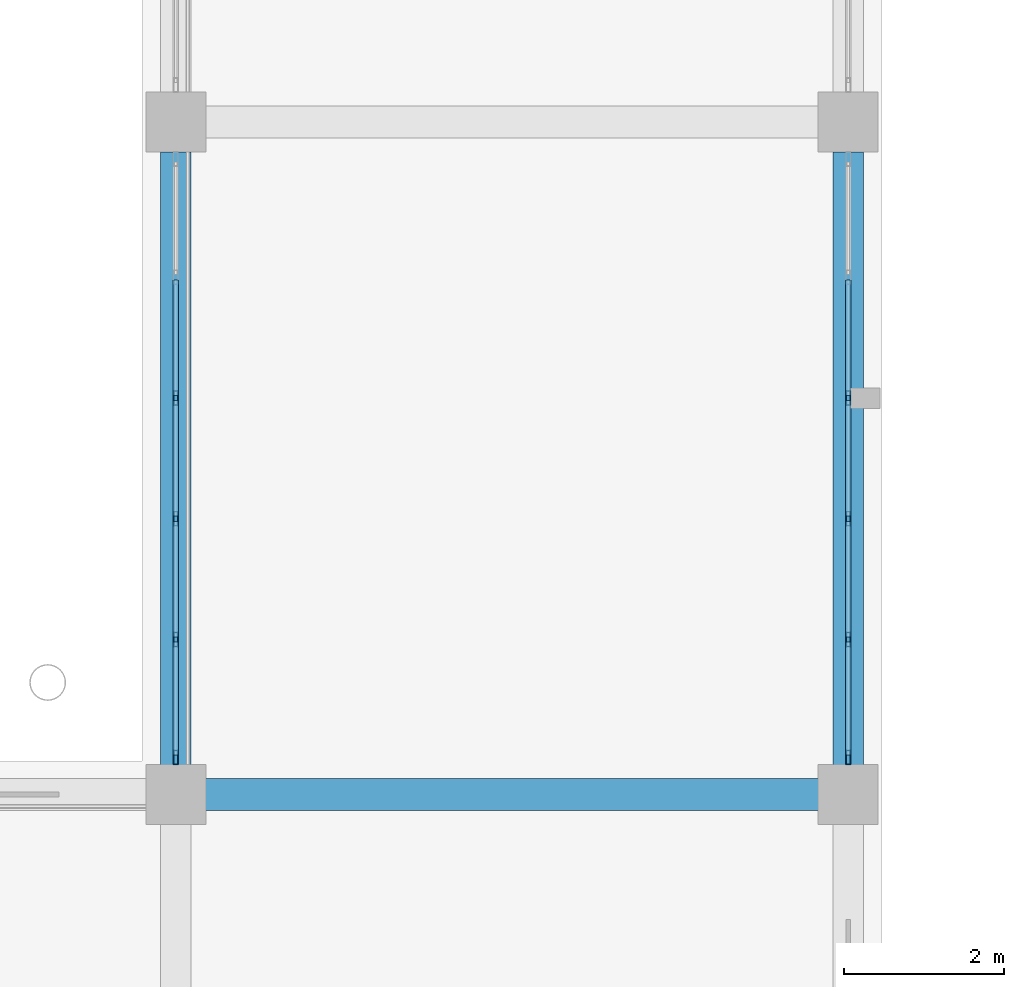
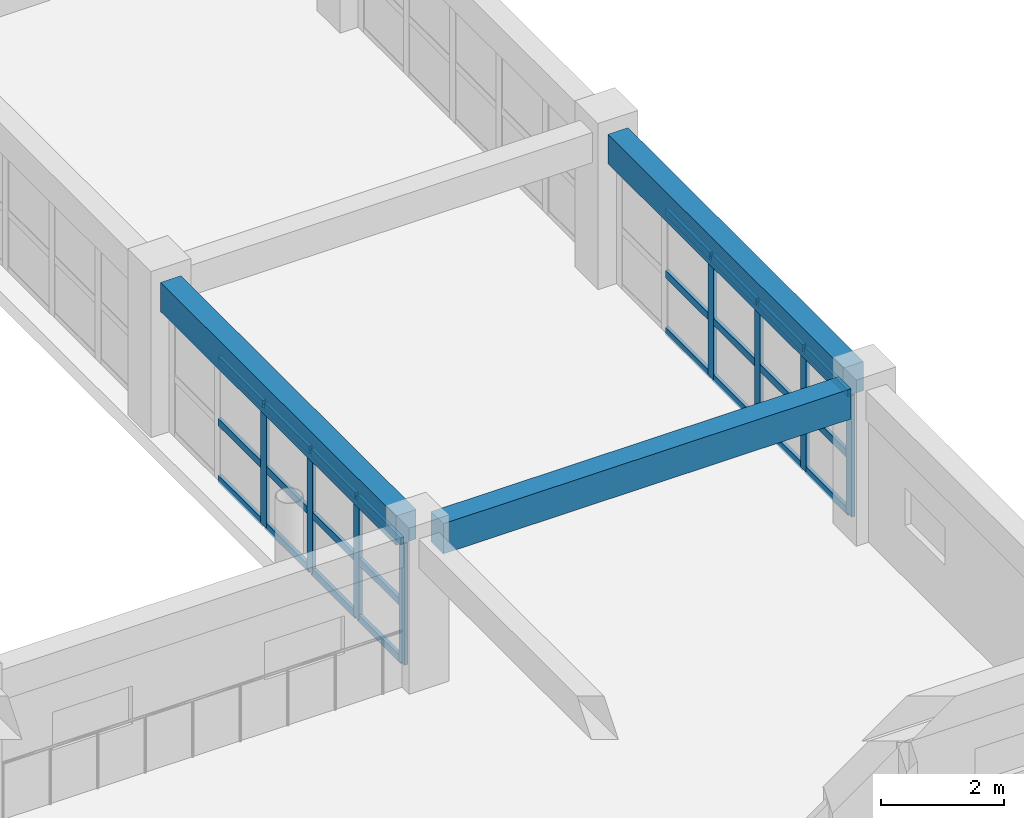
# One storey, part 129 of 200: 32 members, 3 beams, 2 elements without a shape of their own.
"""IFC4 building model written with IfcOpenShell, lengths in metres."""

import ifcopenshell
import ifcopenshell.guid

model = None  # the IFC model being written
_history = None  # IfcOwnerHistory: only IFC2X3 demands one
_inside = {}  # id of a spatial element -> (the spatial element, [elements in it])
_under = {}  # id of a project, library or spatial element -> (it, [spatial elements below it])
_declared = {}  # id of a project -> (the project, [libraries it declares])
_typed = {}  # id of a type object -> (the type object, [elements of that type])
_made_of = {}  # id of a material, layer set ... -> (it, [elements and type objects made of it])


def new_model(schema):
    """Start an empty IFC model of exactly this schema.

    Asked for "IFC4X3", IfcOpenShell would pick the latest addendum, in which some entities
    have other attributes; the version numbers below select the first issue.
    IFC2X3 requires an IfcOwnerHistory on every rooted entity: one is made here for all.
    """
    global model, _history
    if schema == "IFC4X3":
        model = ifcopenshell.file(schema_version=(4, 3, 0, 0))
    else:
        model = ifcopenshell.file(schema=schema)
    _inside.clear()
    _under.clear()
    _declared.clear()
    _typed.clear()
    _made_of.clear()
    _history = None
    if model.schema == "IFC2X3":
        org = make("IfcOrganization", Name="unknown")
        user = make(
            "IfcPersonAndOrganization",
            ThePerson=make("IfcPerson", FamilyName="unknown"),
            TheOrganization=org,
        )
        app = make(
            "IfcApplication",
            ApplicationDeveloper=org,
            Version="unknown",
            ApplicationFullName="unknown",
            ApplicationIdentifier="unknown",
        )
        _history = make(
            "IfcOwnerHistory",
            OwningUser=user,
            OwningApplication=app,
            ChangeAction="ADDED",
            CreationDate=0,
        )
    return model


def make(cls, **values):
    """One entity of the class cls with the attributes given. An attribute that is None is left unset."""
    return model.create_entity(
        cls, **{name: value for name, value in values.items() if value is not None}
    )


def rooted(cls, **values):
    """An entity with a GlobalId (a new one), such as an element, a storey or a relation."""
    return make(cls, GlobalId=ifcopenshell.guid.new(), OwnerHistory=_history, **values)


def si_unit(unit_type, name, prefix=None):
    """IfcSIUnit, for example si_unit("LENGTHUNIT", "METRE", prefix="MILLI")."""
    return make("IfcSIUnit", UnitType=unit_type, Prefix=prefix, Name=name)


def assignment(units):
    """IfcUnitAssignment: the units of a project."""
    return None if units is None else make("IfcUnitAssignment", Units=units)


def point(xyz):
    """IfcCartesianPoint."""
    return None if xyz is None else make("IfcCartesianPoint", Coordinates=xyz)


def direction(xyz):
    """IfcDirection."""
    return None if xyz is None else make("IfcDirection", DirectionRatios=xyz)


def frame(location, z_axis=None, x_axis=None):
    """IfcAxis2Placement3D, a coordinate frame: its origin and axes. An axis left out is left unset."""
    return make(
        "IfcAxis2Placement3D",
        Location=point(location),
        Axis=direction(z_axis),
        RefDirection=direction(x_axis),
    )


def frame_2d(location, x_axis=None):
    """IfcAxis2Placement2D, a coordinate frame in the plane: its origin and x axis."""
    return make(
        "IfcAxis2Placement2D", Location=point(location), RefDirection=direction(x_axis)
    )


def origin():
    """The frame at (0, 0, 0) with its axes left unset."""
    return frame((0.0, 0.0, 0.0))


def origin_2d():
    """The frame at (0, 0) in the plane with its x axis left unset."""
    return frame_2d((0.0, 0.0))


def place(relative_to, where):
    """IfcLocalPlacement: puts the frame where relative to a parent placement (None: the world)."""
    return make(
        "IfcLocalPlacement", PlacementRelTo=relative_to, RelativePlacement=where
    )


def context(
    kind, dimensions, precision=None, world=None, true_north=None, identifier=None
):
    """IfcGeometricRepresentationContext, for example the 3D "Model" context."""
    return make(
        "IfcGeometricRepresentationContext",
        ContextIdentifier=identifier,
        ContextType=kind,
        CoordinateSpaceDimension=dimensions,
        Precision=precision,
        WorldCoordinateSystem=world,
        TrueNorth=true_north,
    )


def subcontext(parent, identifier, kind, view, scale=None):
    """IfcGeometricRepresentationSubContext, for example "Body" below "Model"."""
    return make(
        "IfcGeometricRepresentationSubContext",
        ContextIdentifier=identifier,
        ContextType=kind,
        ParentContext=parent,
        TargetScale=scale,
        TargetView=view,
    )


def project(units=None, contexts=None):
    """IfcProject with its units and contexts."""
    return rooted(
        "IfcProject",
        Name="project",
        RepresentationContexts=contexts,
        UnitsInContext=assignment(units),
    )


def spatial(cls, under=None, at=None, **own):
    """A site, building, storey or space (cls), placed at a placement, below another one or the project."""
    s = rooted(cls, ObjectPlacement=at, **own)
    if under is not None:
        _under.setdefault(under.id(), (under, []))[1].append(s)
    return s


def profile(cls, at=None, kind="AREA", **sizes):
    """A parametric profile (cls). Its sizes go by their IFC names, for example OverallWidth=200.0."""
    return make(cls, ProfileType=kind, Position=at, **sizes)


def rectangle(**sizes):
    """IfcRectangleProfileDef."""
    return profile("IfcRectangleProfileDef", **sizes)


def hollow_rectangle(**sizes):
    """IfcRectangleHollowProfileDef."""
    return profile("IfcRectangleHollowProfileDef", **sizes)


def extrude(swept, where, along, depth):
    """IfcExtrudedAreaSolid: the profile swept, set in the frame where, extruded along a direction by depth."""
    return make(
        "IfcExtrudedAreaSolid",
        SweptArea=swept,
        Position=where,
        ExtrudedDirection=direction(along),
        Depth=depth,
    )


def shape(context_of_items, identifier, shape_type, items):
    """IfcShapeRepresentation: the items that make up one representation, for example the "Body"."""
    return make(
        "IfcShapeRepresentation",
        ContextOfItems=context_of_items,
        RepresentationIdentifier=identifier,
        RepresentationType=shape_type,
        Items=items,
    )


def material(Name=None, Category=None):
    """IfcMaterial."""
    return make("IfcMaterial", Name=Name, Category=Category)


def layer(
    of_material, thickness, ventilated=None, Name=None, Category=None, Priority=None
):
    """IfcMaterialLayer: one layer of a wall or slab, of a material (None: an air gap)."""
    return make(
        "IfcMaterialLayer",
        Material=of_material,
        LayerThickness=thickness,
        IsVentilated=ventilated,
        Name=Name,
        Category=Category,
        Priority=Priority,
    )


def layer_set(layers, Name=None):
    """IfcMaterialLayerSet."""
    return make("IfcMaterialLayerSet", MaterialLayers=layers, LayerSetName=Name)


def material_profile(
    of_material, cross_section, Name=None, Category=None, Priority=None
):
    """IfcMaterialProfile: a cross section and its material."""
    return make(
        "IfcMaterialProfile",
        Name=Name,
        Material=of_material,
        Profile=cross_section,
        Priority=Priority,
        Category=Category,
    )


def profile_set(profiles, Name=None, composite=None):
    """IfcMaterialProfileSet."""
    return make(
        "IfcMaterialProfileSet",
        Name=Name,
        MaterialProfiles=profiles,
        CompositeProfile=composite,
    )


def made_of(thing, what):
    """Note that an element or type object is made of a material, layer set ...; save() writes the relation."""
    if what is not None:
        _made_of.setdefault(what.id(), (what, []))[1].append(thing)
    return thing


def type_object(cls, material=None, **own):
    """A type object (cls), such as IfcWallType, which elements share."""
    return made_of(rooted(cls, **own), material)


def element(
    cls,
    number,
    at=None,
    inside=None,
    cuts=None,
    type_object=None,
    material=None,
    context=None,
    identifier="Body",
    shape_type=None,
    held_by="IfcProductDefinitionShape",
    body=None,
    shapes=None,
    **own,
):
    """One element of the class cls, such as IfcWall. Its Tag is "e" and its number.

    at: its placement. inside: the storey or other place that contains it. cuts: it is an
    opening in that element (IfcRelVoidsElement). A single representation is given by context,
    identifier, shape_type and body (its items); several are given by shapes. held_by: the class
    of the entity that holds the representations. save() writes the other relations.
    """
    e = rooted(cls, Tag="e%d" % number, ObjectPlacement=at, **own)
    if body is not None:
        shapes = [shape(context, identifier, shape_type, body)]
    if shapes is not None:
        e.Representation = make(held_by, Representations=shapes)
    if inside is not None:
        _inside.setdefault(inside.id(), (inside, []))[1].append(e)
    if cuts is not None:
        rooted(
            "IfcRelVoidsElement", RelatingBuildingElement=cuts, RelatedOpeningElement=e
        )
    if type_object is not None:
        _typed.setdefault(type_object.id(), (type_object, []))[1].append(e)
    return made_of(e, material)


def aggregate(whole, parts):
    """IfcRelAggregates: a whole, such as a stair, and the parts it consists of."""
    return rooted("IfcRelAggregates", RelatingObject=whole, RelatedObjects=parts)


def save(model, path):
    """Write the relations noted so far, then the file.

    IfcRelAggregates (storeys below a building ...), IfcRelContainedInSpatialStructure (elements
    in a storey), IfcRelDefinesByType, IfcRelAssociatesMaterial and IfcRelDeclares: one each for
    every whole, place, type object, material and project.
    """
    for whole, parts in _under.values():
        aggregate(whole, parts)
    for where, things in _inside.values():
        rooted(
            "IfcRelContainedInSpatialStructure",
            RelatedElements=things,
            RelatingStructure=where,
        )
    for kind, things in _typed.values():
        rooted("IfcRelDefinesByType", RelatedObjects=things, RelatingType=kind)
    for what, things in _made_of.values():
        rooted("IfcRelAssociatesMaterial", RelatedObjects=things, RelatingMaterial=what)
    for by, libraries in _declared.values():
        rooted("IfcRelDeclares", RelatingContext=by, RelatedDefinitions=libraries)
    model.write(path)


model = new_model("IFC4")

# Units and contexts
model_context = context("Model", 3, precision=1e-05, world=origin(), true_north=direction((0.0, 1.0)))
body_context = subcontext(model_context, "Body", "Model", "MODEL_VIEW")
ifc_project = project(units=[si_unit("LENGTHUNIT", "METRE"), si_unit("AREAUNIT", "SQUARE_METRE"), si_unit("VOLUMEUNIT", "CUBIC_METRE"), si_unit("PLANEANGLEUNIT", "RADIAN"), si_unit("MASSUNIT", "GRAM", prefix="KILO")], contexts=[model_context])

# Site, building, storey
site_placement = place(None, origin())
site = spatial("IfcSite", under=ifc_project, at=site_placement, CompositionType="ELEMENT")
building_placement = place(site_placement, origin())
building = spatial("IfcBuilding", under=site, at=building_placement, Name="Trelvath General Hospital", CompositionType="ELEMENT")
storey_placement = place(building_placement, frame((0.0, 0.0, 4.800048828125)))
storey = spatial("IfcBuildingStorey", under=building, at=storey_placement, Name="L01", CompositionType="ELEMENT", Elevation=4.800048828125)

# Beams
ifc_material_1 = material(Name="Concrete C35/45", Category="concrete")
ifc_material_profile_1 = material_profile(ifc_material_1, rectangle(XDim=0.3798828125, YDim=0.580078125, at=origin_2d()), Name="RCB380x580")
ifc_profile_set_1 = profile_set([ifc_material_profile_1], Name="Concrete C35/45")
beam_type_1 = type_object("IfcBeamType", Name="Beam RC380x580", PredefinedType="BEAM", material=ifc_profile_set_1)
for number, where, z_axis, x_axis, name in (
    (1, (176.39990234375, 25.570068359375, 2.72998046875), (0.0, 1.0, 0.0), (-1.0, 0.0, 0.0), "Grid Beam BY-121D"),
    (2, (184.800048828125, 25.570068359375, 2.72998046875), (0.0, 1.0, 0.0), (-1.0, 0.0, 0.0), "Grid Beam BY-122D"),
):
    element("IfcBeam", number, at=place(storey_placement, frame(where, z_axis=z_axis, x_axis=x_axis)), inside=storey, type_object=beam_type_1, Name=name, PredefinedType="BEAM", context=body_context, shape_type="SweptSolid", body=[
        extrude(rectangle(XDim=0.3798828125, YDim=0.580078125, at=origin_2d()), origin(), (0.0, 0.0, 1.0), 7.659912109375),
    ])
ifc_material_2 = material(Name="Concrete C35/45", Category="concrete")
ifc_material_profile_2 = material_profile(ifc_material_2, rectangle(XDim=0.39990234375, YDim=0.60009765625, at=origin_2d()), Name="RCB400x600")
ifc_profile_set_2 = profile_set([ifc_material_profile_2], Name="Concrete C35/45")
beam_type_2 = type_object("IfcBeamType", Name="Beam RC400x600", PredefinedType="BEAM", material=ifc_profile_set_2)
beam_placement = place(storey_placement, frame((176.77001953125, 25.199951171875, 2.719970703125), z_axis=(1.0, 0.0, 0.0), x_axis=(0.0, 1.0, 0.0)))
element("IfcBeam", 3, at=beam_placement, inside=storey, type_object=beam_type_2, Name="Grid Beam BX-121D", PredefinedType="BEAM", context=body_context, shape_type="SweptSolid", body=[
    extrude(rectangle(XDim=0.39990234375, YDim=0.60009765625, at=origin_2d()), origin(), (0.0, 0.0, 1.0), 7.659912109375),
])

# Curtain wall, members
ifc_material_3 = material(Name="Anodised aluminium and low-E glass", Category="aluminium")
ifc_layer = layer(ifc_material_3, 0.179931640625)
ifc_layer_set = layer_set([ifc_layer], Name="Anodised aluminium and low-E glass")
curtain_wall_type = type_object("IfcCurtainWallType", Name="CW Facade 754 242 18", PredefinedType="USERDEFINED", material=ifc_layer_set)
curtain_wall_1_placement = place(storey_placement, origin())
curtain_wall_1 = element("IfcCurtainWall", 4, at=curtain_wall_1_placement, inside=storey, type_object=curtain_wall_type, Name="Facade Curtain Wall CW-030", ObjectType="Unitised Glazed Curtain Wall", PredefinedType="USERDEFINED")
ifc_material_4 = material(Name="Anodised aluminium", Category="aluminium")
ifc_material_profile_3 = material_profile(ifc_material_4, hollow_rectangle(XDim=0.06494140625, YDim=0.179931640625, WallThickness=0.0048828125, at=origin_2d()), Name="RHS65x180x5")
ifc_profile_set_3 = profile_set([ifc_material_profile_3], Name="Anodised aluminium")
member_type_1 = type_object("IfcMemberType", Name="CurtainMullion 65x180", PredefinedType="MULLION", material=ifc_profile_set_3)
member_1_placement = place(storey_placement, frame((176.39990234375, 25.66259765625, 0.0), z_axis=(0.0, 0.0, 1.0), x_axis=(-1.0, 0.0, 0.0)))
member_1 = element("IfcMember", 5, at=member_1_placement, type_object=member_type_1, Name="CW-030 mullion 1", PredefinedType="MULLION", context=body_context, shape_type="SweptSolid", body=[
    extrude(hollow_rectangle(XDim=0.06494140625, YDim=0.179931640625, WallThickness=0.0048828125, at=origin_2d()), origin(), (0.0, 0.0, 1.0), 2.419921875),
])
member_2_placement = place(storey_placement, frame((176.39990234375, 27.137939453125, 0.0), z_axis=(0.0, 0.0, 1.0), x_axis=(-1.0, 0.0, 0.0)))
member_2 = element("IfcMember", 6, at=member_2_placement, type_object=member_type_1, Name="CW-030 mullion 2", PredefinedType="MULLION", context=body_context, shape_type="SweptSolid", body=[
    extrude(hollow_rectangle(XDim=0.06494140625, YDim=0.179931640625, WallThickness=0.0048828125, at=origin_2d()), origin(), (0.0, 0.0, 1.0), 2.419921875),
])
member_3_placement = place(storey_placement, frame((176.39990234375, 28.64599609375, 0.0), z_axis=(0.0, 0.0, 1.0), x_axis=(-1.0, 0.0, 0.0)))
member_3 = element("IfcMember", 7, at=member_3_placement, type_object=member_type_1, Name="CW-030 mullion 3", PredefinedType="MULLION", context=body_context, shape_type="SweptSolid", body=[
    extrude(hollow_rectangle(XDim=0.06494140625, YDim=0.179931640625, WallThickness=0.0048828125, at=origin_2d()), origin(), (0.0, 0.0, 1.0), 2.419921875),
])
member_4_placement = place(storey_placement, frame((176.39990234375, 30.154052734375, 0.0), z_axis=(0.0, 0.0, 1.0), x_axis=(-1.0, 0.0, 0.0)))
member_4 = element("IfcMember", 8, at=member_4_placement, type_object=member_type_1, Name="CW-030 mullion 4", PredefinedType="MULLION", context=body_context, shape_type="SweptSolid", body=[
    extrude(hollow_rectangle(XDim=0.06494140625, YDim=0.179931640625, WallThickness=0.0048828125, at=origin_2d()), origin(), (0.0, 0.0, 1.0), 2.419921875),
])

curtain_wall_2_placement = place(storey_placement, origin())
curtain_wall_2 = element("IfcCurtainWall", 9, at=curtain_wall_2_placement, inside=storey, type_object=curtain_wall_type, Name="Facade Curtain Wall CW-031", ObjectType="Unitised Glazed Curtain Wall", PredefinedType="USERDEFINED")
member_5_placement = place(storey_placement, frame((184.800048828125, 30.154052734375, 0.0), z_axis=(0.0, 0.0, 1.0), x_axis=(1.0, 0.0, 0.0)))
member_5 = element("IfcMember", 10, at=member_5_placement, type_object=member_type_1, Name="CW-031 mullion 3", PredefinedType="MULLION", context=body_context, shape_type="SweptSolid", body=[
    extrude(hollow_rectangle(XDim=0.06494140625, YDim=0.179931640625, WallThickness=0.0048828125, at=origin_2d()), origin(), (0.0, 0.0, 1.0), 2.419921875),
])
member_6_placement = place(storey_placement, frame((184.800048828125, 28.64599609375, 0.0), z_axis=(0.0, 0.0, 1.0), x_axis=(1.0, 0.0, 0.0)))
member_6 = element("IfcMember", 11, at=member_6_placement, type_object=member_type_1, Name="CW-031 mullion 4", PredefinedType="MULLION", context=body_context, shape_type="SweptSolid", body=[
    extrude(hollow_rectangle(XDim=0.06494140625, YDim=0.179931640625, WallThickness=0.0048828125, at=origin_2d()), origin(), (0.0, 0.0, 1.0), 2.419921875),
])
member_7_placement = place(storey_placement, frame((184.800048828125, 27.137939453125, 0.0), z_axis=(0.0, 0.0, 1.0), x_axis=(1.0, 0.0, 0.0)))
member_7 = element("IfcMember", 12, at=member_7_placement, type_object=member_type_1, Name="CW-031 mullion 5", PredefinedType="MULLION", context=body_context, shape_type="SweptSolid", body=[
    extrude(hollow_rectangle(XDim=0.06494140625, YDim=0.179931640625, WallThickness=0.0048828125, at=origin_2d()), origin(), (0.0, 0.0, 1.0), 2.419921875),
])
member_8_placement = place(storey_placement, frame((184.800048828125, 25.66259765625, 0.0), z_axis=(0.0, 0.0, 1.0), x_axis=(1.0, 0.0, 0.0)))
member_8 = element("IfcMember", 13, at=member_8_placement, type_object=member_type_1, Name="CW-031 mullion 6", PredefinedType="MULLION", context=body_context, shape_type="SweptSolid", body=[
    extrude(hollow_rectangle(XDim=0.06494140625, YDim=0.179931640625, WallThickness=0.0048828125, at=origin_2d()), origin(), (0.0, 0.0, 1.0), 2.419921875),
])

# Member
ifc_material_5 = material(Name="Anodised aluminium", Category="aluminium")
ifc_material_profile_4 = material_profile(ifc_material_5, hollow_rectangle(XDim=0.06494140625, YDim=0.14501953125, WallThickness=0.00390625, at=origin_2d()), Name="RHS65x145x4")
ifc_profile_set_4 = profile_set([ifc_material_profile_4], Name="Anodised aluminium")
member_type_2 = type_object("IfcMemberType", Name="CurtainTransom 65x145", PredefinedType="USERDEFINED", material=ifc_profile_set_4)
member_9_placement = place(storey_placement, frame((176.39990234375, 25.695068359375, 0.032470703125), z_axis=(0.0, 1.0, 0.0), x_axis=(-1.0, 0.0, 0.0)))
member_9 = element("IfcMember", 14, at=member_9_placement, type_object=member_type_2, Name="CW-030 transom 1.1", ObjectType="TRANSOM", PredefinedType="USERDEFINED", context=body_context, shape_type="SweptSolid", body=[
    extrude(hollow_rectangle(XDim=0.06494140625, YDim=0.14501953125, WallThickness=0.00390625, at=origin_2d()), origin(), (0.0, 0.0, 1.0), 1.410400390625),
])

member_10_placement = place(storey_placement, frame((176.39990234375, 25.695068359375, 1.161865234375), z_axis=(0.0, 1.0, 0.0), x_axis=(-1.0, 0.0, 0.0)))
member_10 = element("IfcMember", 15, at=member_10_placement, type_object=member_type_2, Name="CW-030 transom 1.2", ObjectType="TRANSOM", PredefinedType="USERDEFINED", context=body_context, shape_type="SweptSolid", body=[
    extrude(hollow_rectangle(XDim=0.06494140625, YDim=0.14501953125, WallThickness=0.00390625, at=origin_2d()), origin(), (0.0, 0.0, 1.0), 1.410400390625),
])

member_11_placement = place(storey_placement, frame((176.39990234375, 25.695068359375, 2.387451171875), z_axis=(0.0, 1.0, 0.0), x_axis=(-1.0, 0.0, 0.0)))
member_11 = element("IfcMember", 16, at=member_11_placement, type_object=member_type_2, Name="CW-030 transom 1.3", ObjectType="TRANSOM", PredefinedType="USERDEFINED", context=body_context, shape_type="SweptSolid", body=[
    extrude(hollow_rectangle(XDim=0.06494140625, YDim=0.14501953125, WallThickness=0.00390625, at=origin_2d()), origin(), (0.0, 0.0, 1.0), 1.410400390625),
])

member_12_placement = place(storey_placement, frame((176.39990234375, 27.17041015625, 0.032470703125), z_axis=(0.0, 1.0, 0.0), x_axis=(-1.0, 0.0, 0.0)))
member_12 = element("IfcMember", 17, at=member_12_placement, type_object=member_type_2, Name="CW-030 transom 2.1", ObjectType="TRANSOM", PredefinedType="USERDEFINED", context=body_context, shape_type="SweptSolid", body=[
    extrude(hollow_rectangle(XDim=0.06494140625, YDim=0.14501953125, WallThickness=0.00390625, at=origin_2d()), origin(), (0.0, 0.0, 1.0), 1.443115234375),
])

member_13_placement = place(storey_placement, frame((176.39990234375, 27.17041015625, 1.161865234375), z_axis=(0.0, 1.0, 0.0), x_axis=(-1.0, 0.0, 0.0)))
member_13 = element("IfcMember", 18, at=member_13_placement, type_object=member_type_2, Name="CW-030 transom 2.2", ObjectType="TRANSOM", PredefinedType="USERDEFINED", context=body_context, shape_type="SweptSolid", body=[
    extrude(hollow_rectangle(XDim=0.06494140625, YDim=0.14501953125, WallThickness=0.00390625, at=origin_2d()), origin(), (0.0, 0.0, 1.0), 1.443115234375),
])

member_14_placement = place(storey_placement, frame((176.39990234375, 27.17041015625, 2.387451171875), z_axis=(0.0, 1.0, 0.0), x_axis=(-1.0, 0.0, 0.0)))
member_14 = element("IfcMember", 19, at=member_14_placement, type_object=member_type_2, Name="CW-030 transom 2.3", ObjectType="TRANSOM", PredefinedType="USERDEFINED", context=body_context, shape_type="SweptSolid", body=[
    extrude(hollow_rectangle(XDim=0.06494140625, YDim=0.14501953125, WallThickness=0.00390625, at=origin_2d()), origin(), (0.0, 0.0, 1.0), 1.443115234375),
])

member_15_placement = place(storey_placement, frame((176.39990234375, 28.678466796875, 0.032470703125), z_axis=(0.0, 1.0, 0.0), x_axis=(-1.0, 0.0, 0.0)))
member_15 = element("IfcMember", 20, at=member_15_placement, type_object=member_type_2, Name="CW-030 transom 3.1", ObjectType="TRANSOM", PredefinedType="USERDEFINED", context=body_context, shape_type="SweptSolid", body=[
    extrude(hollow_rectangle(XDim=0.06494140625, YDim=0.14501953125, WallThickness=0.00390625, at=origin_2d()), origin(), (0.0, 0.0, 1.0), 1.443115234375),
])

member_16_placement = place(storey_placement, frame((176.39990234375, 28.678466796875, 1.161865234375), z_axis=(0.0, 1.0, 0.0), x_axis=(-1.0, 0.0, 0.0)))
member_16 = element("IfcMember", 21, at=member_16_placement, type_object=member_type_2, Name="CW-030 transom 3.2", ObjectType="TRANSOM", PredefinedType="USERDEFINED", context=body_context, shape_type="SweptSolid", body=[
    extrude(hollow_rectangle(XDim=0.06494140625, YDim=0.14501953125, WallThickness=0.00390625, at=origin_2d()), origin(), (0.0, 0.0, 1.0), 1.443115234375),
])

member_17_placement = place(storey_placement, frame((176.39990234375, 28.678466796875, 2.387451171875), z_axis=(0.0, 1.0, 0.0), x_axis=(-1.0, 0.0, 0.0)))
member_17 = element("IfcMember", 22, at=member_17_placement, type_object=member_type_2, Name="CW-030 transom 3.3", ObjectType="TRANSOM", PredefinedType="USERDEFINED", context=body_context, shape_type="SweptSolid", body=[
    extrude(hollow_rectangle(XDim=0.06494140625, YDim=0.14501953125, WallThickness=0.00390625, at=origin_2d()), origin(), (0.0, 0.0, 1.0), 1.443115234375),
])

member_18_placement = place(storey_placement, frame((176.39990234375, 30.1865234375, 0.032470703125), z_axis=(0.0, 1.0, 0.0), x_axis=(-1.0, 0.0, 0.0)))
member_18 = element("IfcMember", 23, at=member_18_placement, type_object=member_type_2, Name="CW-030 transom 4.1", ObjectType="TRANSOM", PredefinedType="USERDEFINED", context=body_context, shape_type="SweptSolid", body=[
    extrude(hollow_rectangle(XDim=0.06494140625, YDim=0.14501953125, WallThickness=0.00390625, at=origin_2d()), origin(), (0.0, 0.0, 1.0), 1.44287109375),
])

member_19_placement = place(storey_placement, frame((176.39990234375, 30.1865234375, 1.161865234375), z_axis=(0.0, 1.0, 0.0), x_axis=(-1.0, 0.0, 0.0)))
member_19 = element("IfcMember", 24, at=member_19_placement, type_object=member_type_2, Name="CW-030 transom 4.2", ObjectType="TRANSOM", PredefinedType="USERDEFINED", context=body_context, shape_type="SweptSolid", body=[
    extrude(hollow_rectangle(XDim=0.06494140625, YDim=0.14501953125, WallThickness=0.00390625, at=origin_2d()), origin(), (0.0, 0.0, 1.0), 1.44287109375),
])

member_20_placement = place(storey_placement, frame((176.39990234375, 30.1865234375, 2.387451171875), z_axis=(0.0, 1.0, 0.0), x_axis=(-1.0, 0.0, 0.0)))
member_20 = element("IfcMember", 25, at=member_20_placement, type_object=member_type_2, Name="CW-030 transom 4.3", ObjectType="TRANSOM", PredefinedType="USERDEFINED", context=body_context, shape_type="SweptSolid", body=[
    extrude(hollow_rectangle(XDim=0.06494140625, YDim=0.14501953125, WallThickness=0.00390625, at=origin_2d()), origin(), (0.0, 0.0, 1.0), 1.44287109375),
])

aggregate(curtain_wall_1, [member_1, member_2, member_3, member_4, member_9, member_10, member_11, member_12, member_13, member_14, member_15, member_16, member_17, member_18, member_19, member_20])

member_21_placement = place(storey_placement, frame((184.800048828125, 31.62939453125, 0.032470703125), z_axis=(0.0, -1.0, 0.0), x_axis=(1.0, 0.0, 0.0)))
member_21 = element("IfcMember", 26, at=member_21_placement, type_object=member_type_2, Name="CW-031 transom 2.1", ObjectType="TRANSOM", PredefinedType="USERDEFINED", context=body_context, shape_type="SweptSolid", body=[
    extrude(hollow_rectangle(XDim=0.06494140625, YDim=0.14501953125, WallThickness=0.00390625, at=origin_2d()), origin(), (0.0, 0.0, 1.0), 1.44287109375),
])

member_22_placement = place(storey_placement, frame((184.800048828125, 31.62939453125, 1.161865234375), z_axis=(0.0, -1.0, 0.0), x_axis=(1.0, 0.0, 0.0)))
member_22 = element("IfcMember", 27, at=member_22_placement, type_object=member_type_2, Name="CW-031 transom 2.2", ObjectType="TRANSOM", PredefinedType="USERDEFINED", context=body_context, shape_type="SweptSolid", body=[
    extrude(hollow_rectangle(XDim=0.06494140625, YDim=0.14501953125, WallThickness=0.00390625, at=origin_2d()), origin(), (0.0, 0.0, 1.0), 1.44287109375),
])

member_23_placement = place(storey_placement, frame((184.800048828125, 31.62939453125, 2.387451171875), z_axis=(0.0, -1.0, 0.0), x_axis=(1.0, 0.0, 0.0)))
member_23 = element("IfcMember", 28, at=member_23_placement, type_object=member_type_2, Name="CW-031 transom 2.3", ObjectType="TRANSOM", PredefinedType="USERDEFINED", context=body_context, shape_type="SweptSolid", body=[
    extrude(hollow_rectangle(XDim=0.06494140625, YDim=0.14501953125, WallThickness=0.00390625, at=origin_2d()), origin(), (0.0, 0.0, 1.0), 1.44287109375),
])

member_24_placement = place(storey_placement, frame((184.800048828125, 30.12158203125, 0.032470703125), z_axis=(0.0, -1.0, 0.0), x_axis=(1.0, 0.0, 0.0)))
member_24 = element("IfcMember", 29, at=member_24_placement, type_object=member_type_2, Name="CW-031 transom 3.1", ObjectType="TRANSOM", PredefinedType="USERDEFINED", context=body_context, shape_type="SweptSolid", body=[
    extrude(hollow_rectangle(XDim=0.06494140625, YDim=0.14501953125, WallThickness=0.00390625, at=origin_2d()), origin(), (0.0, 0.0, 1.0), 1.443115234375),
])

member_25_placement = place(storey_placement, frame((184.800048828125, 30.12158203125, 1.161865234375), z_axis=(0.0, -1.0, 0.0), x_axis=(1.0, 0.0, 0.0)))
member_25 = element("IfcMember", 30, at=member_25_placement, type_object=member_type_2, Name="CW-031 transom 3.2", ObjectType="TRANSOM", PredefinedType="USERDEFINED", context=body_context, shape_type="SweptSolid", body=[
    extrude(hollow_rectangle(XDim=0.06494140625, YDim=0.14501953125, WallThickness=0.00390625, at=origin_2d()), origin(), (0.0, 0.0, 1.0), 1.443115234375),
])

member_26_placement = place(storey_placement, frame((184.800048828125, 30.12158203125, 2.387451171875), z_axis=(0.0, -1.0, 0.0), x_axis=(1.0, 0.0, 0.0)))
member_26 = element("IfcMember", 31, at=member_26_placement, type_object=member_type_2, Name="CW-031 transom 3.3", ObjectType="TRANSOM", PredefinedType="USERDEFINED", context=body_context, shape_type="SweptSolid", body=[
    extrude(hollow_rectangle(XDim=0.06494140625, YDim=0.14501953125, WallThickness=0.00390625, at=origin_2d()), origin(), (0.0, 0.0, 1.0), 1.443115234375),
])

member_27_placement = place(storey_placement, frame((184.800048828125, 28.613525390625, 0.032470703125), z_axis=(0.0, -1.0, 0.0), x_axis=(1.0, 0.0, 0.0)))
member_27 = element("IfcMember", 32, at=member_27_placement, type_object=member_type_2, Name="CW-031 transom 4.1", ObjectType="TRANSOM", PredefinedType="USERDEFINED", context=body_context, shape_type="SweptSolid", body=[
    extrude(hollow_rectangle(XDim=0.06494140625, YDim=0.14501953125, WallThickness=0.00390625, at=origin_2d()), origin(), (0.0, 0.0, 1.0), 1.443115234375),
])

member_28_placement = place(storey_placement, frame((184.800048828125, 28.613525390625, 1.161865234375), z_axis=(0.0, -1.0, 0.0), x_axis=(1.0, 0.0, 0.0)))
member_28 = element("IfcMember", 33, at=member_28_placement, type_object=member_type_2, Name="CW-031 transom 4.2", ObjectType="TRANSOM", PredefinedType="USERDEFINED", context=body_context, shape_type="SweptSolid", body=[
    extrude(hollow_rectangle(XDim=0.06494140625, YDim=0.14501953125, WallThickness=0.00390625, at=origin_2d()), origin(), (0.0, 0.0, 1.0), 1.443115234375),
])

member_29_placement = place(storey_placement, frame((184.800048828125, 28.613525390625, 2.387451171875), z_axis=(0.0, -1.0, 0.0), x_axis=(1.0, 0.0, 0.0)))
member_29 = element("IfcMember", 34, at=member_29_placement, type_object=member_type_2, Name="CW-031 transom 4.3", ObjectType="TRANSOM", PredefinedType="USERDEFINED", context=body_context, shape_type="SweptSolid", body=[
    extrude(hollow_rectangle(XDim=0.06494140625, YDim=0.14501953125, WallThickness=0.00390625, at=origin_2d()), origin(), (0.0, 0.0, 1.0), 1.443115234375),
])

member_30_placement = place(storey_placement, frame((184.800048828125, 27.10546875, 0.032470703125), z_axis=(0.0, -1.0, 0.0), x_axis=(1.0, 0.0, 0.0)))
member_30 = element("IfcMember", 35, at=member_30_placement, type_object=member_type_2, Name="CW-031 transom 5.1", ObjectType="TRANSOM", PredefinedType="USERDEFINED", context=body_context, shape_type="SweptSolid", body=[
    extrude(hollow_rectangle(XDim=0.06494140625, YDim=0.14501953125, WallThickness=0.00390625, at=origin_2d()), origin(), (0.0, 0.0, 1.0), 1.410400390625),
])

member_31_placement = place(storey_placement, frame((184.800048828125, 27.10546875, 1.161865234375), z_axis=(0.0, -1.0, 0.0), x_axis=(1.0, 0.0, 0.0)))
member_31 = element("IfcMember", 36, at=member_31_placement, type_object=member_type_2, Name="CW-031 transom 5.2", ObjectType="TRANSOM", PredefinedType="USERDEFINED", context=body_context, shape_type="SweptSolid", body=[
    extrude(hollow_rectangle(XDim=0.06494140625, YDim=0.14501953125, WallThickness=0.00390625, at=origin_2d()), origin(), (0.0, 0.0, 1.0), 1.410400390625),
])

member_32_placement = place(storey_placement, frame((184.800048828125, 27.10546875, 2.387451171875), z_axis=(0.0, -1.0, 0.0), x_axis=(1.0, 0.0, 0.0)))
member_32 = element("IfcMember", 37, at=member_32_placement, type_object=member_type_2, Name="CW-031 transom 5.3", ObjectType="TRANSOM", PredefinedType="USERDEFINED", context=body_context, shape_type="SweptSolid", body=[
    extrude(hollow_rectangle(XDim=0.06494140625, YDim=0.14501953125, WallThickness=0.00390625, at=origin_2d()), origin(), (0.0, 0.0, 1.0), 1.410400390625),
])

aggregate(curtain_wall_2, [member_5, member_6, member_7, member_8, member_21, member_22, member_23, member_24, member_25, member_26, member_27, member_28, member_29, member_30, member_31, member_32])

save(model, "model.ifc")
